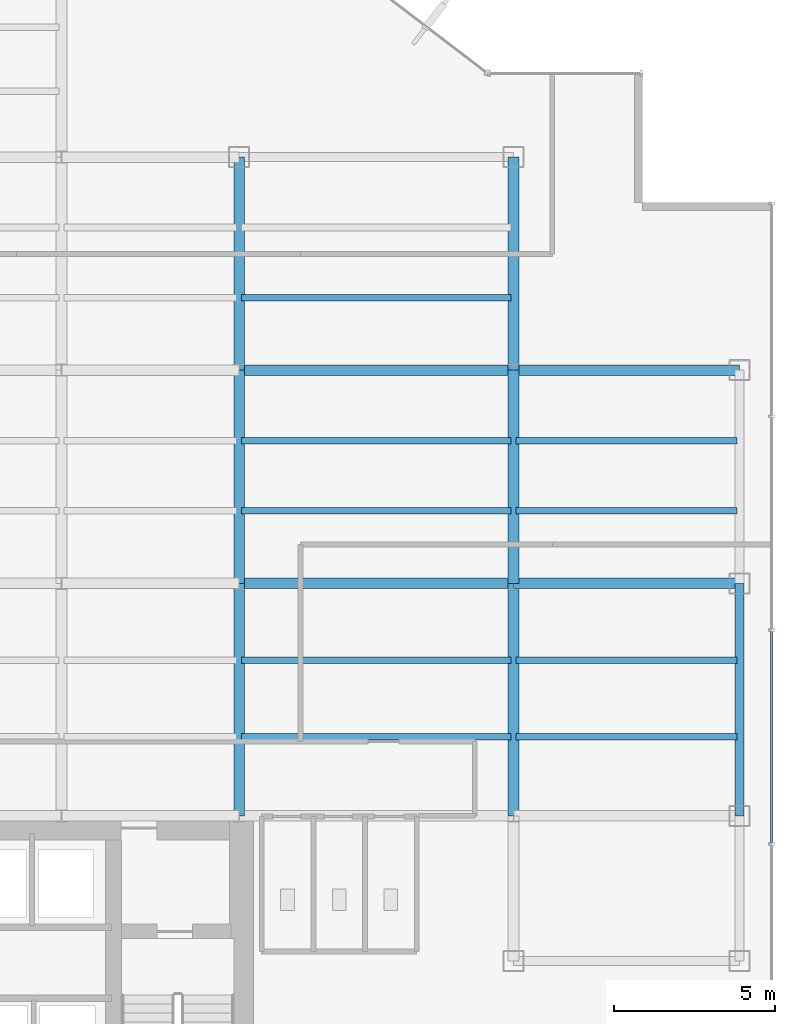
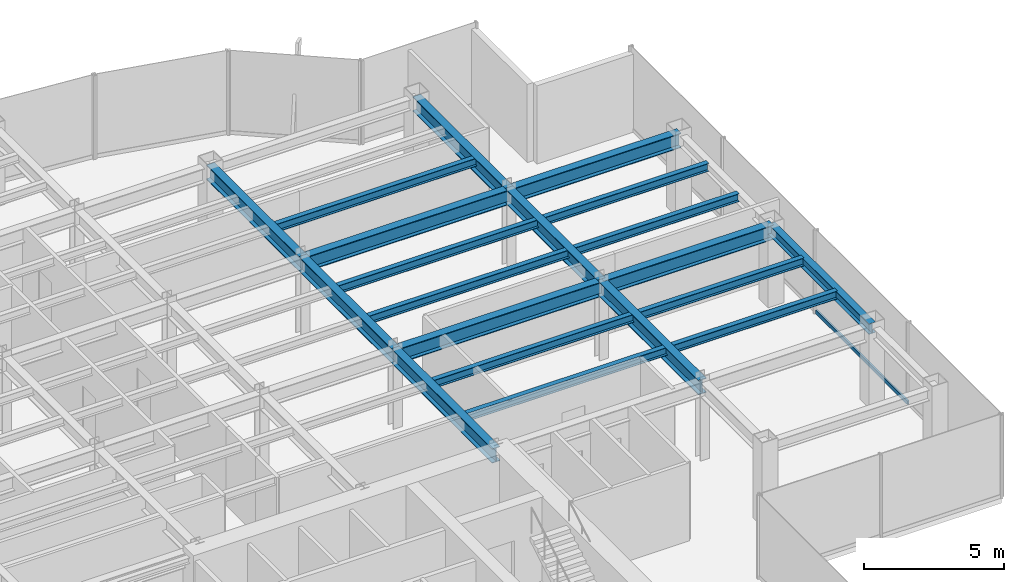
# One storey, part 12 of 25: 20 beams, 1 member, 1 element without a shape of its own.
"""IFC4 building model written with IfcOpenShell, lengths in metres."""

from ifc_helpers import new_model, si_unit, derived_unit, direction, frame, origin, origin_2d, place, context, subcontext, project, spatial, hollow_rectangle, i_section, extrude, source, transform, mapped, material, material_profile, profile_set, type_object, element, aggregate, save


model = new_model("IFC4")

# Units and contexts
model_context = context("Model", 3, precision=1e-05, world=origin(), true_north=direction((0.0, 1.0)))
body_context = subcontext(model_context, "Body", "Model", "MODEL_VIEW")
ifc_project = project(units=[si_unit("LENGTHUNIT", "METRE"), si_unit("AREAUNIT", "SQUARE_METRE"), si_unit("VOLUMEUNIT", "CUBIC_METRE"), si_unit("PLANEANGLEUNIT", "RADIAN"), si_unit("MASSUNIT", "GRAM", prefix="KILO"), derived_unit("THERMALTRANSMITTANCEUNIT", [(si_unit("POWERUNIT", "WATT"), 1), (si_unit("LENGTHUNIT", "METRE"), -2), (si_unit("THERMODYNAMICTEMPERATUREUNIT", "KELVIN"), -1)])], contexts=[model_context])

# Site, building, storey
site_placement = place(None, origin())
site = spatial("IfcSite", under=ifc_project, at=site_placement, CompositionType="ELEMENT")
building_placement = place(site_placement, origin())
building = spatial("IfcBuilding", under=site, at=building_placement, Name="Skarnbrae Concourse Arena and Tower", CompositionType="ELEMENT")
storey_placement = place(building_placement, frame((0.0, 0.0, 162.5)))
storey = spatial("IfcBuildingStorey", under=building, at=storey_placement, Name="L41", CompositionType="ELEMENT", Elevation=162.5)

# Beams
ifc_material_1 = material(Name="Steel CSA G40.21 350W", Category="steel")
ifc_material_profile_1 = material_profile(ifc_material_1, i_section(OverallWidth=0.3291015625, OverallDepth=0.635009765625, WebThickness=0.017822265625, FlangeThickness=0.031005859375, at=origin_2d()), Name="W610X241")
ifc_profile_set_1 = profile_set([ifc_material_profile_1], Name="Steel CSA G40.21 350W")
beam_type_1 = type_object("IfcBeamType", Name="BM-GIRD-W610X241", PredefinedType="BEAM", material=ifc_profile_set_1)
shared_shape_1 = source(origin(), body_context, "Body", "SweptSolid", [
    extrude(i_section(OverallWidth=0.3291015625, OverallDepth=0.635009765625, WebThickness=0.017822265625, FlangeThickness=0.031005859375, at=origin_2d()), origin(), (0.0, 0.0, 1.0), 6.60009765625),
])
for number, where, z_axis, x_axis, name in (
    (1, (33.5, 21.199951171875, 3.08251953125), (0.0, 1.0, 0.0), (-1.0, 0.0, 0.0), "L41 Primary N-S girder X33.5-2"),
    (2, (42.0, 21.199951171875, 3.08251953125), (0.0, 1.0, 0.0), (-1.0, 0.0, 0.0), "L41 Primary N-S girder X42.0-3"),
):
    element("IfcBeam", number, at=place(storey_placement, frame(where, z_axis=z_axis, x_axis=x_axis)), inside=storey, type_object=beam_type_1, Name=name, PredefinedType="BEAM", context=body_context, shape_type="MappedRepresentation", body=[
        mapped(shared_shape_1, transform((0.0, 0.0, 0.0))),
    ])
shared_shape_2 = source(origin(), body_context, "Body", "SweptSolid", [
    extrude(i_section(OverallWidth=0.3291015625, OverallDepth=0.635009765625, WebThickness=0.017822265625, FlangeThickness=0.031005859375, at=origin_2d()), origin(), (0.0, 0.0, 1.0), 8.5),
])
for number, where, z_axis, x_axis, name in (
    (3, (33.5, 21.199951171875, 3.08251953125), (1.0, 0.0, 0.0), (0.0, 1.0, 0.0), "L41 Primary E-W girder Y21.2-6"),
    (4, (33.5, 27.800048828125, 3.08251953125), (1.0, 0.0, 0.0), (0.0, 1.0, 0.0), "L41 Primary E-W girder Y27.8-6"),
):
    element("IfcBeam", number, at=place(storey_placement, frame(where, z_axis=z_axis, x_axis=x_axis)), inside=storey, type_object=beam_type_1, Name=name, PredefinedType="BEAM", context=body_context, shape_type="MappedRepresentation", body=[
        mapped(shared_shape_2, transform((0.0, 0.0, 0.0))),
    ])
shared_shape_3 = source(origin(), body_context, "Body", "SweptSolid", [
    extrude(i_section(OverallWidth=0.3291015625, OverallDepth=0.635009765625, WebThickness=0.017822265625, FlangeThickness=0.031005859375, at=origin_2d()), origin(), (0.0, 0.0, 1.0), 7.0),
])
for number, where, z_axis, x_axis, name in (
    (5, (42.0, 21.199951171875, 3.08251953125), (1.0, 0.0, 0.0), (0.0, 1.0, 0.0), "L41 Primary E-W girder Y21.2-7"),
    (6, (42.0, 27.800048828125, 3.08251953125), (1.0, 0.0, 0.0), (0.0, 1.0, 0.0), "L41 Primary E-W girder Y27.8-7"),
):
    element("IfcBeam", number, at=place(storey_placement, frame(where, z_axis=z_axis, x_axis=x_axis)), inside=storey, type_object=beam_type_1, Name=name, PredefinedType="BEAM", context=body_context, shape_type="MappedRepresentation", body=[
        mapped(shared_shape_3, transform((0.0, 0.0, 0.0))),
    ])
ifc_material_profile_2 = material_profile(ifc_material_1, i_section(OverallWidth=0.280029296875, OverallDepth=0.462890625, WebThickness=0.0107421875, FlangeThickness=0.017333984375, at=origin_2d()), Name="W460X113")
ifc_profile_set_2 = profile_set([ifc_material_profile_2], Name="Steel CSA G40.21 350W")
beam_type_2 = type_object("IfcBeamType", Name="BM-SPAN-W460X113", PredefinedType="SPANDREL", material=ifc_profile_set_2)
shared_shape_4 = source(origin(), body_context, "Body", "SweptSolid", [
    extrude(i_section(OverallWidth=0.280029296875, OverallDepth=0.462890625, WebThickness=0.0107421875, FlangeThickness=0.017333984375, at=origin_2d()), origin(), (0.0, 0.0, 1.0), 7.199951171875),
])
beam_placement = place(storey_placement, frame((49.0, 14.0, 3.16845703125), z_axis=(0.0, 1.0, 0.0), x_axis=(-1.0, 0.0, 0.0)))
element("IfcBeam", 7, at=beam_placement, inside=storey, type_object=beam_type_2, Name="L41 Perimeter spandrel X49.0-2", PredefinedType="SPANDREL", context=body_context, shape_type="MappedRepresentation", body=[
    mapped(shared_shape_4, transform((0.0, 0.0, 0.0))),
])
shared_shape_5 = source(origin(), body_context, "Body", "SweptSolid", [
    extrude(i_section(OverallWidth=0.3291015625, OverallDepth=0.635009765625, WebThickness=0.017822265625, FlangeThickness=0.031005859375, at=origin_2d()), origin(), (0.0, 0.0, 1.0), 7.199951171875),
])
for number, where, z_axis, x_axis, name in (
    (8, (33.5, 14.0, 3.08251953125), (0.0, 1.0, 0.0), (-1.0, 0.0, 0.0), "L41 Primary N-S girder X33.5-1"),
    (9, (42.0, 14.0, 3.08251953125), (0.0, 1.0, 0.0), (-1.0, 0.0, 0.0), "L41 Primary N-S girder X42.0-2"),
):
    element("IfcBeam", number, at=place(storey_placement, frame(where, z_axis=z_axis, x_axis=x_axis)), inside=storey, type_object=beam_type_1, Name=name, PredefinedType="BEAM", context=body_context, shape_type="MappedRepresentation", body=[
        mapped(shared_shape_5, transform((0.0, 0.0, 0.0))),
    ])
shared_shape_6 = source(origin(), body_context, "Body", "SweptSolid", [
    extrude(i_section(OverallWidth=0.3291015625, OverallDepth=0.635009765625, WebThickness=0.017822265625, FlangeThickness=0.031005859375, at=origin_2d()), origin(), (0.0, 0.0, 1.0), 6.599853515625),
])
for number, where, z_axis, x_axis, name in (
    (10, (33.5, 27.800048828125, 3.08251953125), (0.0, 1.0, 0.0), (-1.0, 0.0, 0.0), "L41 Primary N-S girder X33.5-3"),
    (11, (42.0, 27.800048828125, 3.08251953125), (0.0, 1.0, 0.0), (-1.0, 0.0, 0.0), "L41 Primary N-S girder X42.0-4"),
):
    element("IfcBeam", number, at=place(storey_placement, frame(where, z_axis=z_axis, x_axis=x_axis)), inside=storey, type_object=beam_type_1, Name=name, PredefinedType="BEAM", context=body_context, shape_type="MappedRepresentation", body=[
        mapped(shared_shape_6, transform((0.0, 0.0, 0.0))),
    ])
ifc_material_profile_3 = material_profile(ifc_material_1, i_section(OverallWidth=0.205078125, OverallDepth=0.35400390625, WebThickness=0.009521484375, FlangeThickness=0.016845703125, at=origin_2d()), Name="W360X79")
ifc_profile_set_3 = profile_set([ifc_material_profile_3], Name="Steel CSA G40.21 350W")
beam_type_3 = type_object("IfcBeamType", Name="BM-JOIST-W360X79", PredefinedType="JOIST", material=ifc_profile_set_3)
shared_shape_7 = source(origin(), body_context, "Body", "SweptSolid", [
    extrude(i_section(OverallWidth=0.205078125, OverallDepth=0.35400390625, WebThickness=0.009521484375, FlangeThickness=0.016845703125, at=origin_2d()), origin(), (0.0, 0.0, 1.0), 8.33984375),
])
for number, where, z_axis, x_axis, name in (
    (12, (33.580078125, 16.447998046875, 3.222900390625), (1.0, 0.0, 0.0), (0.0, 1.0, 0.0), "L41 Secondary floor joist 1.1.6"),
    (13, (33.580078125, 18.823974609375, 3.222900390625), (1.0, 0.0, 0.0), (0.0, 1.0, 0.0), "L41 Secondary floor joist 1.2.6"),
    (14, (33.580078125, 23.444091796875, 3.222900390625), (1.0, 0.0, 0.0), (0.0, 1.0, 0.0), "L41 Secondary floor joist 2.1.6"),
    (15, (33.580078125, 25.6220703125, 3.222900390625), (1.0, 0.0, 0.0), (0.0, 1.0, 0.0), "L41 Secondary floor joist 2.2.6"),
    (16, (33.580078125, 30.0439453125, 3.222900390625), (1.0, 0.0, 0.0), (0.0, 1.0, 0.0), "L41 Secondary floor joist 3.1.5"),
):
    element("IfcBeam", number, at=place(storey_placement, frame(where, z_axis=z_axis, x_axis=x_axis)), inside=storey, type_object=beam_type_3, Name=name, PredefinedType="JOIST", context=body_context, shape_type="MappedRepresentation", body=[
        mapped(shared_shape_7, transform((0.0, 0.0, 0.0))),
    ])
shared_shape_8 = source(origin(), body_context, "Body", "SweptSolid", [
    extrude(i_section(OverallWidth=0.205078125, OverallDepth=0.35400390625, WebThickness=0.009521484375, FlangeThickness=0.016845703125, at=origin_2d()), origin(), (0.0, 0.0, 1.0), 6.83984375),
])
for number, where, z_axis, x_axis, name in (
    (17, (42.080078125, 16.447998046875, 3.222900390625), (1.0, 0.0, 0.0), (0.0, 1.0, 0.0), "L41 Secondary floor joist 1.1.7"),
    (18, (42.080078125, 18.823974609375, 3.222900390625), (1.0, 0.0, 0.0), (0.0, 1.0, 0.0), "L41 Secondary floor joist 1.2.7"),
    (19, (42.080078125, 23.444091796875, 3.222900390625), (1.0, 0.0, 0.0), (0.0, 1.0, 0.0), "L41 Secondary floor joist 2.1.7"),
    (20, (42.080078125, 25.6220703125, 3.222900390625), (1.0, 0.0, 0.0), (0.0, 1.0, 0.0), "L41 Secondary floor joist 2.2.7"),
):
    element("IfcBeam", number, at=place(storey_placement, frame(where, z_axis=z_axis, x_axis=x_axis)), inside=storey, type_object=beam_type_3, Name=name, PredefinedType="JOIST", context=body_context, shape_type="MappedRepresentation", body=[
        mapped(shared_shape_8, transform((0.0, 0.0, 0.0))),
    ])

# Curtain wall, member
ifc_material_2 = material(Name="Bronze anodised aluminium 6063-T6", Category="aluminium")
curtain_wall_type = type_object("IfcCurtainWallType", Name="CW-SYS-04-MIDZONE", PredefinedType="USERDEFINED", material=ifc_material_2)
curtain_wall_placement = place(storey_placement, origin())
curtain_wall = element("IfcCurtainWall", 21, at=curtain_wall_placement, inside=storey, type_object=curtain_wall_type, Name="L41 Unitised curtain wall CW-L41-E04", ObjectType="UNITISED CURTAIN WALL", PredefinedType="USERDEFINED")
ifc_material_profile_4 = material_profile(ifc_material_2, hollow_rectangle(XDim=0.074951171875, YDim=0.159912109375, WallThickness=0.00439453125, at=origin_2d()), Name="ALU-TRAN-75X160")
ifc_profile_set_4 = profile_set([ifc_material_profile_4], Name="Bronze anodised aluminium 6063-T6")
member_type = type_object("IfcMemberType", Name="CWT-CW-04", PredefinedType="USERDEFINED", material=ifc_profile_set_4)
shared_shape_9 = source(origin(), body_context, "Body", "SweptSolid", [
    extrude(hollow_rectangle(XDim=0.074951171875, YDim=0.159912109375, WallThickness=0.00439453125, at=origin_2d()), origin(), (0.0, 0.0, 1.0), 6.5498046875),
])
member_placement = place(storey_placement, frame((50.0, 13.16259765625, 0.080078125), z_axis=(0.0, 1.0, 0.0), x_axis=(-1.0, 0.0, 0.0)))
member = element("IfcMember", 22, at=member_placement, type_object=member_type, Name="CW-L41-E04 Transom 2", ObjectType="TRANSOM", PredefinedType="USERDEFINED", context=body_context, shape_type="MappedRepresentation", body=[
    mapped(shared_shape_9, transform((0.0, 0.0, 0.0))),
])
aggregate(curtain_wall, [member])

save(model, "model.ifc")
